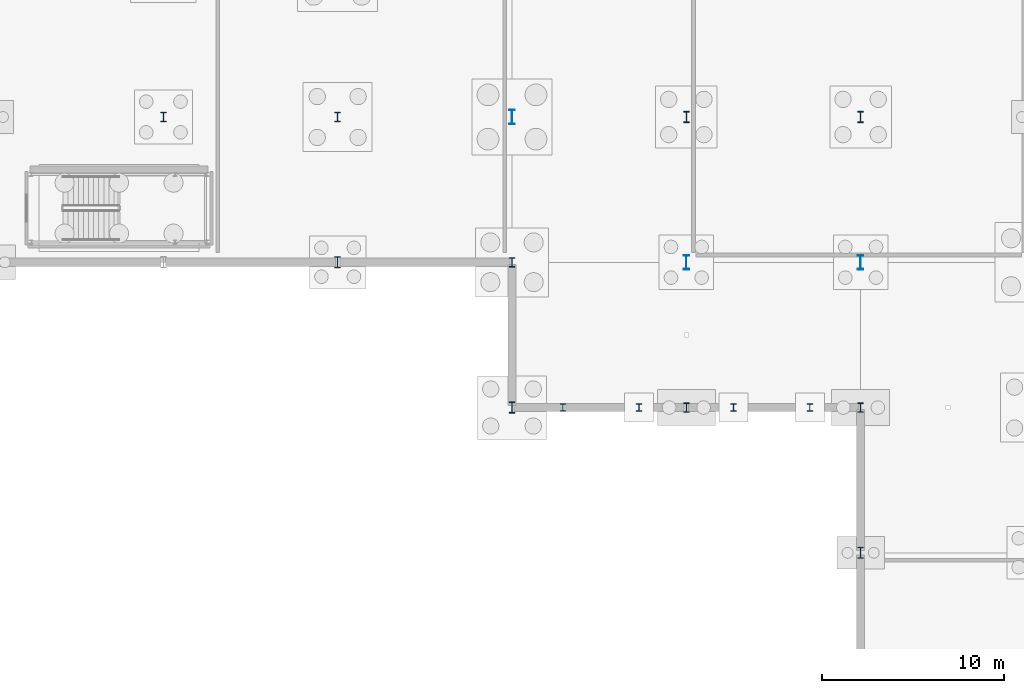
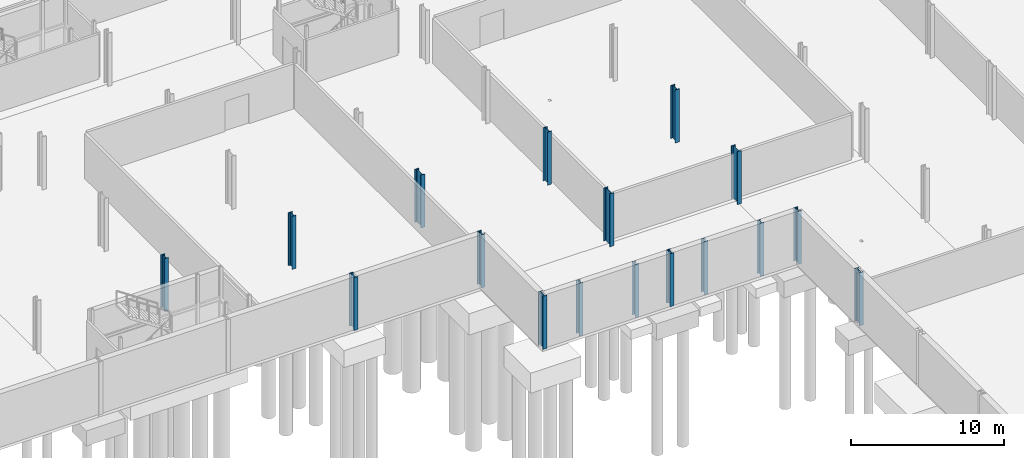
# One storey, part 10 of 47: 17 columns.
"""IFC4 building model written with IfcOpenShell, lengths in metres."""

from ifc_helpers import new_model, si_unit, direction, frame, origin, origin_2d, place, context, subcontext, project, spatial, i_section, extrude, material, material_profile, profile_set, type_object, element, save


model = new_model("IFC4")

# Units and contexts
model_context = context("Model", 3, precision=1e-05, world=origin(), true_north=direction((0.0, 1.0)))
body_context = subcontext(model_context, "Body", "Model", "MODEL_VIEW")
ifc_project = project(units=[si_unit("LENGTHUNIT", "METRE"), si_unit("AREAUNIT", "SQUARE_METRE"), si_unit("VOLUMEUNIT", "CUBIC_METRE"), si_unit("PLANEANGLEUNIT", "RADIAN"), si_unit("MASSUNIT", "GRAM", prefix="KILO")], contexts=[model_context])

# Site, building, storey
site_placement = place(None, origin())
site = spatial("IfcSite", under=ifc_project, at=site_placement, CompositionType="ELEMENT")
building_placement = place(site_placement, origin())
building = spatial("IfcBuilding", under=site, at=building_placement, Name="Alderhovde Museum", CompositionType="ELEMENT")
storey_placement = place(building_placement, frame((0.0, 0.0, -4.5)))
storey = spatial("IfcBuildingStorey", under=building, at=storey_placement, Name="B1", CompositionType="ELEMENT", Elevation=-4.5)

# Columns
ifc_material_1 = material(Name="Steel S355J2", Category="steel")
ifc_material_profile_1 = material_profile(ifc_material_1, i_section(OverallWidth=0.300048828125, OverallDepth=0.39990234375, WebThickness=0.013427734375, FlangeThickness=0.02392578125, FilletRadius=0.027099609375, at=origin_2d()), Name="HEB 400")
ifc_profile_set_1 = profile_set([ifc_material_profile_1], Name="Steel S355J2")
column_type_1 = type_object("IfcColumnType", Name="COL-HEB400", PredefinedType="COLUMN", material=ifc_profile_set_1)
for number, where, z_axis, x_axis, name in (
    (1, (50.800048828125, 40.0, 0.0), (0.0, 0.0, 1.0), (1.0, 0.0, 0.0), "B1 Beaux-Arts Portico Colonnade Column X=50.8"),
    (2, (55.0, 40.0, 0.0), (0.0, 0.0, 1.0), (1.0, 0.0, 0.0), "B1 Beaux-Arts Portico Colonnade Column X=55.0"),
    (3, (60.199951171875, 40.0, 0.0), (0.0, 0.0, 1.0), (1.0, 0.0, 0.0), "B1 Beaux-Arts Portico Colonnade Column X=60.2"),
    (4, (64.39990234375, 40.0, 0.0), (0.0, 0.0, 1.0), (1.0, 0.0, 0.0), "B1 Beaux-Arts Portico Colonnade Column X=64.4"),
):
    element("IfcColumn", number, at=place(storey_placement, frame(where, z_axis=z_axis, x_axis=x_axis)), inside=storey, type_object=column_type_1, Name=name, PredefinedType="COLUMN", context=body_context, shape_type="SweptSolid", body=[
        extrude(i_section(OverallWidth=0.300048828125, OverallDepth=0.39990234375, WebThickness=0.013427734375, FlangeThickness=0.02392578125, FilletRadius=0.027099609375, at=origin_2d()), origin(), (0.0, 0.0, 1.0), 4.219970703125),
    ])
ifc_material_2 = material(Name="Steel S355J2", Category="steel")
ifc_material_profile_2 = material_profile(ifc_material_2, i_section(OverallWidth=0.300048828125, OverallDepth=0.800048828125, WebThickness=0.017578125, FlangeThickness=0.032958984375, FilletRadius=0.030029296875, at=origin_2d()), Name="HEB 800")
ifc_profile_set_2 = profile_set([ifc_material_profile_2], Name="Steel S355J2")
column_type_2 = type_object("IfcColumnType", Name="COL-HEB800", PredefinedType="COLUMN", material=ifc_profile_set_2)
for number, where, z_axis, x_axis, name in (
    (5, (48.0, 56.0, 0.0), (0.0, 0.0, 1.0), (1.0, 0.0, 0.0), "B1 Column (48.0, 56.0)"),
    (6, (57.60009765625, 48.0, 0.0), (0.0, 0.0, 1.0), (1.0, 0.0, 0.0), "B1 Column (57.6, 48.0)"),
    (7, (67.199951171875, 48.0, 0.0), (0.0, 0.0, 1.0), (1.0, 0.0, 0.0), "B1 Column (67.2, 48.0)"),
):
    element("IfcColumn", number, at=place(storey_placement, frame(where, z_axis=z_axis, x_axis=x_axis)), inside=storey, type_object=column_type_2, Name=name, PredefinedType="COLUMN", context=body_context, shape_type="SweptSolid", body=[
        extrude(i_section(OverallWidth=0.300048828125, OverallDepth=0.800048828125, WebThickness=0.017578125, FlangeThickness=0.032958984375, FilletRadius=0.030029296875, at=origin_2d()), origin(), (0.0, 0.0, 1.0), 4.219970703125),
    ])
ifc_material_3 = material(Name="Steel S355J2", Category="steel")
ifc_material_profile_3 = material_profile(ifc_material_3, i_section(OverallWidth=0.305908203125, OverallDepth=0.52392578125, WebThickness=0.02099609375, FlangeThickness=0.0400390625, FilletRadius=0.027099609375, at=origin_2d()), Name="HEM 500")
ifc_profile_set_3 = profile_set([ifc_material_profile_3], Name="Steel S355J2")
column_type_3 = type_object("IfcColumnType", Name="COL-HEM500", PredefinedType="COLUMN", material=ifc_profile_set_3)
for number, where, z_axis, x_axis, name in (
    (8, (28.800048828125, 56.0, 0.0), (0.0, 0.0, 1.0), (1.0, 0.0, 0.0), "B1 Column (28.8, 56.0)"),
    (9, (38.39990234375, 56.0, 0.0), (0.0, 0.0, 1.0), (1.0, 0.0, 0.0), "B1 Column (38.4, 56.0)"),
    (10, (48.0, 48.0, 0.0), (0.0, 0.0, 1.0), (1.0, 0.0, 0.0), "B1 Column (48.0, 48.0)"),
    (11, (57.60009765625, 40.0, 0.0), (0.0, 0.0, 1.0), (1.0, 0.0, 0.0), "B1 Column (57.6, 40.0)"),
    (12, (67.199951171875, 40.0, 0.0), (0.0, 0.0, 1.0), (1.0, 0.0, 0.0), "B1 Column (67.2, 40.0)"),
):
    element("IfcColumn", number, at=place(storey_placement, frame(where, z_axis=z_axis, x_axis=x_axis)), inside=storey, type_object=column_type_3, Name=name, PredefinedType="COLUMN", context=body_context, shape_type="SweptSolid", body=[
        extrude(i_section(OverallWidth=0.305908203125, OverallDepth=0.52392578125, WebThickness=0.02099609375, FlangeThickness=0.0400390625, FilletRadius=0.027099609375, at=origin_2d()), origin(), (0.0, 0.0, 1.0), 4.219970703125),
    ])
ifc_material_4 = material(Name="Steel S355J2", Category="steel")
ifc_material_profile_4 = material_profile(ifc_material_4, i_section(OverallWidth=0.304931640625, OverallDepth=0.6201171875, WebThickness=0.02099609375, FlangeThickness=0.0400390625, FilletRadius=0.027099609375, at=origin_2d()), Name="HEM 600")
ifc_profile_set_4 = profile_set([ifc_material_profile_4], Name="Steel S355J2")
column_type_4 = type_object("IfcColumnType", Name="COL-HEM600", PredefinedType="COLUMN", material=ifc_profile_set_4)
for number, where, z_axis, x_axis, name in (
    (13, (38.39990234375, 48.0, 0.0), (0.0, 0.0, 1.0), (1.0, 0.0, 0.0), "B1 Column (38.4, 48.0)"),
    (14, (48.0, 40.0, 0.0), (0.0, 0.0, 1.0), (1.0, 0.0, 0.0), "B1 Column (48.0, 40.0)"),
    (15, (57.60009765625, 56.0, 0.0), (0.0, 0.0, 1.0), (1.0, 0.0, 0.0), "B1 Column (57.6, 56.0)"),
    (16, (67.199951171875, 32.0, 0.0), (0.0, 0.0, 1.0), (1.0, 0.0, 0.0), "B1 Column (67.2, 32.0)"),
    (17, (67.199951171875, 56.0, 0.0), (0.0, 0.0, 1.0), (1.0, 0.0, 0.0), "B1 Column (67.2, 56.0)"),
):
    element("IfcColumn", number, at=place(storey_placement, frame(where, z_axis=z_axis, x_axis=x_axis)), inside=storey, type_object=column_type_4, Name=name, PredefinedType="COLUMN", context=body_context, shape_type="SweptSolid", body=[
        extrude(i_section(OverallWidth=0.304931640625, OverallDepth=0.6201171875, WebThickness=0.02099609375, FlangeThickness=0.0400390625, FilletRadius=0.027099609375, at=origin_2d()), origin(), (0.0, 0.0, 1.0), 4.219970703125),
    ])

save(model, "model.ifc")
